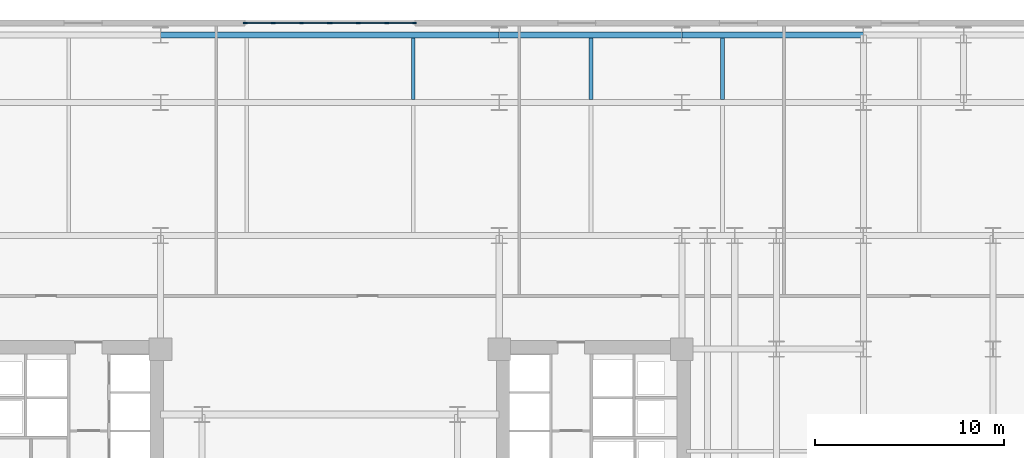
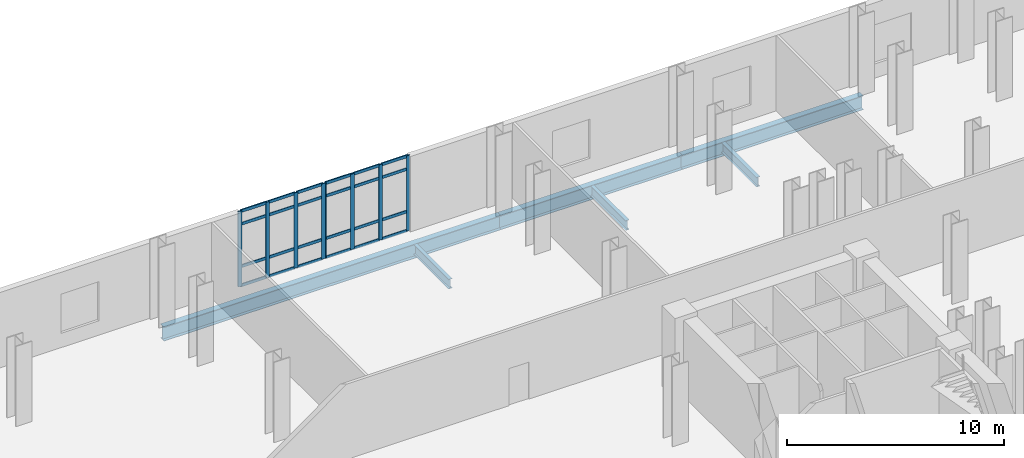
# One storey, part 5 of 13: 32 members, 6 beams, 2 elements without a shape of their own.
"""IFC4 building model written with IfcOpenShell, lengths in metres."""

from ifc_helpers import new_model, si_unit, direction, frame, origin, origin_2d, place, context, subcontext, project, spatial, rectangle, i_section, extrude, material, layer, layer_set, material_profile, profile_set, type_object, element, aggregate, save


model = new_model("IFC4")

# Units and contexts
model_context = context("Model", 3, precision=1e-05, world=origin(), true_north=direction((0.0, 1.0)))
body_context = subcontext(model_context, "Body", "Model", "MODEL_VIEW")
ifc_project = project(units=[si_unit("LENGTHUNIT", "METRE"), si_unit("AREAUNIT", "SQUARE_METRE"), si_unit("VOLUMEUNIT", "CUBIC_METRE"), si_unit("PLANEANGLEUNIT", "RADIAN"), si_unit("MASSUNIT", "GRAM", prefix="KILO")], contexts=[model_context])

# Site, building, storey
site_placement = place(None, origin())
site = spatial("IfcSite", under=ifc_project, at=site_placement, CompositionType="ELEMENT")
building_placement = place(site_placement, origin())
building = spatial("IfcBuilding", under=site, at=building_placement, Name="Velakula Bourse", CompositionType="ELEMENT")
storey_placement = place(building_placement, frame((0.0, 0.0, 5.10009765625)))
storey = spatial("IfcBuildingStorey", under=building, at=storey_placement, Name="L01", CompositionType="ELEMENT", Elevation=5.10009765625)

# Beams
ifc_material_1 = material(Name="Steel IS 2062 Grade 350 (E350)", Category="steel")
ifc_material_profile_1 = material_profile(ifc_material_1, i_section(OverallWidth=0.320068359375, OverallDepth=0.800048828125, WebThickness=0.01806640625, FlangeThickness=0.028076171875, at=origin_2d()), Name="Steel IS 2062 Grade 350 (E350)")
ifc_profile_set_1 = profile_set([ifc_material_profile_1], Name="Steel IS 2062 Grade 350 (E350)")
beam_type_1 = type_object("IfcBeamType", Name="BM-POD-800", PredefinedType="BEAM", material=ifc_profile_set_1)
beam_1_placement = place(storey_placement, frame((-8.949951171875, 25.199951171875, -0.650146484375), z_axis=(1.0, 0.0, 0.0), x_axis=(0.0, 1.0, 0.0)))
element("IfcBeam", 1, at=beam_1_placement, inside=storey, type_object=beam_type_1, Name="L01 Podium E-W Girder 60", PredefinedType="BEAM", context=body_context, shape_type="SweptSolid", body=[
    extrude(i_section(OverallWidth=0.320068359375, OverallDepth=0.800048828125, WebThickness=0.01806640625, FlangeThickness=0.028076171875, at=origin_2d()), origin(), (0.0, 0.0, 1.0), 17.89990234375),
])
beam_2_placement = place(storey_placement, frame((8.949951171875, 25.199951171875, -0.650146484375), z_axis=(1.0, 0.0, 0.0), x_axis=(0.0, 1.0, 0.0)))
element("IfcBeam", 2, at=beam_2_placement, inside=storey, type_object=beam_type_1, Name="L01 Podium E-W Girder 61", PredefinedType="BEAM", context=body_context, shape_type="SweptSolid", body=[
    extrude(i_section(OverallWidth=0.320068359375, OverallDepth=0.800048828125, WebThickness=0.01806640625, FlangeThickness=0.028076171875, at=origin_2d()), origin(), (0.0, 0.0, 1.0), 9.650146484375),
])
beam_3_placement = place(storey_placement, frame((18.60009765625, 25.199951171875, -0.650146484375), z_axis=(1.0, 0.0, 0.0), x_axis=(0.0, 1.0, 0.0)))
element("IfcBeam", 3, at=beam_3_placement, inside=storey, type_object=beam_type_1, Name="L01 Podium E-W Girder 62", PredefinedType="BEAM", context=body_context, shape_type="SweptSolid", body=[
    extrude(i_section(OverallWidth=0.320068359375, OverallDepth=0.800048828125, WebThickness=0.01806640625, FlangeThickness=0.028076171875, at=origin_2d()), origin(), (0.0, 0.0, 1.0), 9.599853515625),
])
ifc_material_profile_2 = material_profile(ifc_material_1, i_section(OverallWidth=0.18994140625, OverallDepth=0.550048828125, WebThickness=0.01123046875, FlangeThickness=0.019287109375, at=origin_2d()), Name="Steel IS 2062 Grade 350 (E350)")
ifc_profile_set_2 = profile_set([ifc_material_profile_2], Name="Steel IS 2062 Grade 350 (E350)")
beam_type_2 = type_object("IfcBeamType", Name="JST-POD-550", PredefinedType="JOIST", material=ifc_profile_set_2)
for number, where, z_axis, x_axis, name in (
    (4, (4.39990234375, 21.81005859375, -0.525146484375), (0.0, 1.0, 0.0), (-1.0, 0.0, 0.0), "L01 Station Podium Floor Joist 20"),
    (5, (13.800048828125, 21.81005859375, -0.525146484375), (0.0, 1.0, 0.0), (-1.0, 0.0, 0.0), "L01 Station Podium Floor Joist 24"),
    (6, (20.75, 21.81005859375, -0.525146484375), (0.0, 1.0, 0.0), (-1.0, 0.0, 0.0), "L01 Station Podium Floor Joist 28"),
):
    element("IfcBeam", number, at=place(storey_placement, frame(where, z_axis=z_axis, x_axis=x_axis)), inside=storey, type_object=beam_type_2, Name=name, PredefinedType="JOIST", context=body_context, shape_type="SweptSolid", body=[
        extrude(i_section(OverallWidth=0.18994140625, OverallDepth=0.550048828125, WebThickness=0.01123046875, FlangeThickness=0.019287109375, at=origin_2d()), origin(), (0.0, 0.0, 1.0), 3.22998046875),
    ])

# Curtain wall, members
ifc_material_2 = material(Name="Anodised bronze architectural aluminium", Category="aluminium")
ifc_layer = layer(ifc_material_2, 0.199951171875, Name="Anodised bronze architectural aluminium", Category="aluminium")
ifc_layer_set = layer_set([ifc_layer], Name="Anodised bronze architectural aluminium")
curtain_wall_type = type_object("IfcCurtainWallType", Name="CW-ST1", PredefinedType="NOTDEFINED", material=ifc_layer_set)
curtain_wall_1_placement = place(storey_placement, origin())
curtain_wall_1 = element("IfcCurtainWall", 7, at=curtain_wall_1_placement, inside=storey, type_object=curtain_wall_type, Name="L01 North Station Galleria Curtain Wall 2", PredefinedType="NOTDEFINED")
ifc_material_profile_3 = material_profile(ifc_material_2, rectangle(XDim=0.06005859375, YDim=0.199951171875, at=origin_2d()), Name="Anodised bronze architectural aluminium")
ifc_profile_set_3 = profile_set([ifc_material_profile_3], Name="Anodised bronze architectural aluminium")
member_type_1 = type_object("IfcMemberType", Name="MUL-CW-ST1", PredefinedType="MULLION", material=ifc_profile_set_3)
member_1_placement = place(storey_placement, frame((-4.469970703125, 25.840087890625, 0.0), z_axis=(0.0, 0.0, 1.0), x_axis=(0.0, 1.0, 0.0)))
member_1 = element("IfcMember", 8, at=member_1_placement, type_object=member_type_1, Name="CW-ST1 mullion 1", PredefinedType="MULLION", context=body_context, shape_type="SweptSolid", body=[
    extrude(rectangle(XDim=0.06005859375, YDim=0.199951171875, at=origin_2d()), origin(), (0.0, 0.0, 1.0), 4.22998046875),
])
member_2_placement = place(storey_placement, frame((-3.0, 25.840087890625, 0.0), z_axis=(0.0, 0.0, 1.0), x_axis=(0.0, 1.0, 0.0)))
member_2 = element("IfcMember", 9, at=member_2_placement, type_object=member_type_1, Name="CW-ST1 mullion 2", PredefinedType="MULLION", context=body_context, shape_type="SweptSolid", body=[
    extrude(rectangle(XDim=0.06005859375, YDim=0.199951171875, at=origin_2d()), origin(), (0.0, 0.0, 1.0), 4.22998046875),
])
member_3_placement = place(storey_placement, frame((-1.5, 25.840087890625, 0.0), z_axis=(0.0, 0.0, 1.0), x_axis=(0.0, 1.0, 0.0)))
member_3 = element("IfcMember", 10, at=member_3_placement, type_object=member_type_1, Name="CW-ST1 mullion 3", PredefinedType="MULLION", context=body_context, shape_type="SweptSolid", body=[
    extrude(rectangle(XDim=0.06005859375, YDim=0.199951171875, at=origin_2d()), origin(), (0.0, 0.0, 1.0), 4.22998046875),
])
member_4_placement = place(storey_placement, frame((-0.030029296875, 25.840087890625, 0.0), z_axis=(0.0, 0.0, 1.0), x_axis=(0.0, 1.0, 0.0)))
member_4 = element("IfcMember", 11, at=member_4_placement, type_object=member_type_1, Name="CW-ST1 mullion 4", PredefinedType="MULLION", context=body_context, shape_type="SweptSolid", body=[
    extrude(rectangle(XDim=0.06005859375, YDim=0.199951171875, at=origin_2d()), origin(), (0.0, 0.0, 1.0), 4.22998046875),
])

curtain_wall_2_placement = place(storey_placement, origin())
curtain_wall_2 = element("IfcCurtainWall", 12, at=curtain_wall_2_placement, inside=storey, type_object=curtain_wall_type, Name="L01 North Station Galleria Curtain Wall 3", PredefinedType="NOTDEFINED")
member_5_placement = place(storey_placement, frame((0.030029296875, 25.840087890625, 0.0), z_axis=(0.0, 0.0, 1.0), x_axis=(0.0, 1.0, 0.0)))
member_5 = element("IfcMember", 13, at=member_5_placement, type_object=member_type_1, Name="CW-ST1 mullion 1", PredefinedType="MULLION", context=body_context, shape_type="SweptSolid", body=[
    extrude(rectangle(XDim=0.06005859375, YDim=0.199951171875, at=origin_2d()), origin(), (0.0, 0.0, 1.0), 4.22998046875),
])
member_6_placement = place(storey_placement, frame((1.5, 25.840087890625, 0.0), z_axis=(0.0, 0.0, 1.0), x_axis=(0.0, 1.0, 0.0)))
member_6 = element("IfcMember", 14, at=member_6_placement, type_object=member_type_1, Name="CW-ST1 mullion 2", PredefinedType="MULLION", context=body_context, shape_type="SweptSolid", body=[
    extrude(rectangle(XDim=0.06005859375, YDim=0.199951171875, at=origin_2d()), origin(), (0.0, 0.0, 1.0), 4.22998046875),
])
member_7_placement = place(storey_placement, frame((3.0, 25.840087890625, 0.0), z_axis=(0.0, 0.0, 1.0), x_axis=(0.0, 1.0, 0.0)))
member_7 = element("IfcMember", 15, at=member_7_placement, type_object=member_type_1, Name="CW-ST1 mullion 3", PredefinedType="MULLION", context=body_context, shape_type="SweptSolid", body=[
    extrude(rectangle(XDim=0.06005859375, YDim=0.199951171875, at=origin_2d()), origin(), (0.0, 0.0, 1.0), 4.22998046875),
])
member_8_placement = place(storey_placement, frame((4.469970703125, 25.840087890625, 0.0), z_axis=(0.0, 0.0, 1.0), x_axis=(0.0, 1.0, 0.0)))
member_8 = element("IfcMember", 16, at=member_8_placement, type_object=member_type_1, Name="CW-ST1 mullion 4", PredefinedType="MULLION", context=body_context, shape_type="SweptSolid", body=[
    extrude(rectangle(XDim=0.06005859375, YDim=0.199951171875, at=origin_2d()), origin(), (0.0, 0.0, 1.0), 4.22998046875),
])

# Member
ifc_material_profile_4 = material_profile(ifc_material_2, rectangle(XDim=0.06005859375, YDim=0.159912109375, at=origin_2d()), Name="Anodised bronze architectural aluminium")
ifc_profile_set_4 = profile_set([ifc_material_profile_4], Name="Anodised bronze architectural aluminium")
member_type_2 = type_object("IfcMemberType", Name="TRN-CW-ST1", PredefinedType="USERDEFINED", material=ifc_profile_set_4)
member_9_placement = place(storey_placement, frame((-4.43994140625, 25.840087890625, 0.02978515625), z_axis=(1.0, 0.0, 0.0), x_axis=(0.0, 1.0, 0.0)))
member_9 = element("IfcMember", 17, at=member_9_placement, type_object=member_type_2, Name="CW-ST1 transom 1.1", ObjectType="TRANSOM", PredefinedType="USERDEFINED", context=body_context, shape_type="SweptSolid", body=[
    extrude(rectangle(XDim=0.06005859375, YDim=0.159912109375, at=origin_2d()), origin(), (0.0, 0.0, 1.0), 1.409912109375),
])

member_10_placement = place(storey_placement, frame((-4.43994140625, 25.840087890625, 1.099853515625), z_axis=(1.0, 0.0, 0.0), x_axis=(0.0, 1.0, 0.0)))
member_10 = element("IfcMember", 18, at=member_10_placement, type_object=member_type_2, Name="CW-ST1 transom 1.2", ObjectType="TRANSOM", PredefinedType="USERDEFINED", context=body_context, shape_type="SweptSolid", body=[
    extrude(rectangle(XDim=0.06005859375, YDim=0.159912109375, at=origin_2d()), origin(), (0.0, 0.0, 1.0), 1.409912109375),
])

member_11_placement = place(storey_placement, frame((-4.43994140625, 25.840087890625, 3.47998046875), z_axis=(1.0, 0.0, 0.0), x_axis=(0.0, 1.0, 0.0)))
member_11 = element("IfcMember", 19, at=member_11_placement, type_object=member_type_2, Name="CW-ST1 transom 1.3", ObjectType="TRANSOM", PredefinedType="USERDEFINED", context=body_context, shape_type="SweptSolid", body=[
    extrude(rectangle(XDim=0.06005859375, YDim=0.159912109375, at=origin_2d()), origin(), (0.0, 0.0, 1.0), 1.409912109375),
])

member_12_placement = place(storey_placement, frame((-4.43994140625, 25.840087890625, 4.199951171875), z_axis=(1.0, 0.0, 0.0), x_axis=(0.0, 1.0, 0.0)))
member_12 = element("IfcMember", 20, at=member_12_placement, type_object=member_type_2, Name="CW-ST1 transom 1.4", ObjectType="TRANSOM", PredefinedType="USERDEFINED", context=body_context, shape_type="SweptSolid", body=[
    extrude(rectangle(XDim=0.06005859375, YDim=0.159912109375, at=origin_2d()), origin(), (0.0, 0.0, 1.0), 1.409912109375),
])

member_13_placement = place(storey_placement, frame((-2.969970703125, 25.840087890625, 0.02978515625), z_axis=(1.0, 0.0, 0.0), x_axis=(0.0, 1.0, 0.0)))
member_13 = element("IfcMember", 21, at=member_13_placement, type_object=member_type_2, Name="CW-ST1 transom 2.1", ObjectType="TRANSOM", PredefinedType="USERDEFINED", context=body_context, shape_type="SweptSolid", body=[
    extrude(rectangle(XDim=0.06005859375, YDim=0.159912109375, at=origin_2d()), origin(), (0.0, 0.0, 1.0), 1.43994140625),
])

member_14_placement = place(storey_placement, frame((-2.969970703125, 25.840087890625, 1.099853515625), z_axis=(1.0, 0.0, 0.0), x_axis=(0.0, 1.0, 0.0)))
member_14 = element("IfcMember", 22, at=member_14_placement, type_object=member_type_2, Name="CW-ST1 transom 2.2", ObjectType="TRANSOM", PredefinedType="USERDEFINED", context=body_context, shape_type="SweptSolid", body=[
    extrude(rectangle(XDim=0.06005859375, YDim=0.159912109375, at=origin_2d()), origin(), (0.0, 0.0, 1.0), 1.43994140625),
])

member_15_placement = place(storey_placement, frame((-2.969970703125, 25.840087890625, 3.47998046875), z_axis=(1.0, 0.0, 0.0), x_axis=(0.0, 1.0, 0.0)))
member_15 = element("IfcMember", 23, at=member_15_placement, type_object=member_type_2, Name="CW-ST1 transom 2.3", ObjectType="TRANSOM", PredefinedType="USERDEFINED", context=body_context, shape_type="SweptSolid", body=[
    extrude(rectangle(XDim=0.06005859375, YDim=0.159912109375, at=origin_2d()), origin(), (0.0, 0.0, 1.0), 1.43994140625),
])

member_16_placement = place(storey_placement, frame((-2.969970703125, 25.840087890625, 4.199951171875), z_axis=(1.0, 0.0, 0.0), x_axis=(0.0, 1.0, 0.0)))
member_16 = element("IfcMember", 24, at=member_16_placement, type_object=member_type_2, Name="CW-ST1 transom 2.4", ObjectType="TRANSOM", PredefinedType="USERDEFINED", context=body_context, shape_type="SweptSolid", body=[
    extrude(rectangle(XDim=0.06005859375, YDim=0.159912109375, at=origin_2d()), origin(), (0.0, 0.0, 1.0), 1.43994140625),
])

member_17_placement = place(storey_placement, frame((-1.469970703125, 25.840087890625, 0.02978515625), z_axis=(1.0, 0.0, 0.0), x_axis=(0.0, 1.0, 0.0)))
member_17 = element("IfcMember", 25, at=member_17_placement, type_object=member_type_2, Name="CW-ST1 transom 3.1", ObjectType="TRANSOM", PredefinedType="USERDEFINED", context=body_context, shape_type="SweptSolid", body=[
    extrude(rectangle(XDim=0.06005859375, YDim=0.159912109375, at=origin_2d()), origin(), (0.0, 0.0, 1.0), 1.409912109375),
])

member_18_placement = place(storey_placement, frame((-1.469970703125, 25.840087890625, 1.099853515625), z_axis=(1.0, 0.0, 0.0), x_axis=(0.0, 1.0, 0.0)))
member_18 = element("IfcMember", 26, at=member_18_placement, type_object=member_type_2, Name="CW-ST1 transom 3.2", ObjectType="TRANSOM", PredefinedType="USERDEFINED", context=body_context, shape_type="SweptSolid", body=[
    extrude(rectangle(XDim=0.06005859375, YDim=0.159912109375, at=origin_2d()), origin(), (0.0, 0.0, 1.0), 1.409912109375),
])

member_19_placement = place(storey_placement, frame((-1.469970703125, 25.840087890625, 3.47998046875), z_axis=(1.0, 0.0, 0.0), x_axis=(0.0, 1.0, 0.0)))
member_19 = element("IfcMember", 27, at=member_19_placement, type_object=member_type_2, Name="CW-ST1 transom 3.3", ObjectType="TRANSOM", PredefinedType="USERDEFINED", context=body_context, shape_type="SweptSolid", body=[
    extrude(rectangle(XDim=0.06005859375, YDim=0.159912109375, at=origin_2d()), origin(), (0.0, 0.0, 1.0), 1.409912109375),
])

member_20_placement = place(storey_placement, frame((-1.469970703125, 25.840087890625, 4.199951171875), z_axis=(1.0, 0.0, 0.0), x_axis=(0.0, 1.0, 0.0)))
member_20 = element("IfcMember", 28, at=member_20_placement, type_object=member_type_2, Name="CW-ST1 transom 3.4", ObjectType="TRANSOM", PredefinedType="USERDEFINED", context=body_context, shape_type="SweptSolid", body=[
    extrude(rectangle(XDim=0.06005859375, YDim=0.159912109375, at=origin_2d()), origin(), (0.0, 0.0, 1.0), 1.409912109375),
])

aggregate(curtain_wall_1, [member_1, member_2, member_3, member_4, member_9, member_10, member_11, member_12, member_13, member_14, member_15, member_16, member_17, member_18, member_19, member_20])

member_21_placement = place(storey_placement, frame((0.06005859375, 25.840087890625, 0.02978515625), z_axis=(1.0, 0.0, 0.0), x_axis=(0.0, 1.0, 0.0)))
member_21 = element("IfcMember", 29, at=member_21_placement, type_object=member_type_2, Name="CW-ST1 transom 1.1", ObjectType="TRANSOM", PredefinedType="USERDEFINED", context=body_context, shape_type="SweptSolid", body=[
    extrude(rectangle(XDim=0.06005859375, YDim=0.159912109375, at=origin_2d()), origin(), (0.0, 0.0, 1.0), 1.409912109375),
])

member_22_placement = place(storey_placement, frame((0.06005859375, 25.840087890625, 1.099853515625), z_axis=(1.0, 0.0, 0.0), x_axis=(0.0, 1.0, 0.0)))
member_22 = element("IfcMember", 30, at=member_22_placement, type_object=member_type_2, Name="CW-ST1 transom 1.2", ObjectType="TRANSOM", PredefinedType="USERDEFINED", context=body_context, shape_type="SweptSolid", body=[
    extrude(rectangle(XDim=0.06005859375, YDim=0.159912109375, at=origin_2d()), origin(), (0.0, 0.0, 1.0), 1.409912109375),
])

member_23_placement = place(storey_placement, frame((0.06005859375, 25.840087890625, 3.47998046875), z_axis=(1.0, 0.0, 0.0), x_axis=(0.0, 1.0, 0.0)))
member_23 = element("IfcMember", 31, at=member_23_placement, type_object=member_type_2, Name="CW-ST1 transom 1.3", ObjectType="TRANSOM", PredefinedType="USERDEFINED", context=body_context, shape_type="SweptSolid", body=[
    extrude(rectangle(XDim=0.06005859375, YDim=0.159912109375, at=origin_2d()), origin(), (0.0, 0.0, 1.0), 1.409912109375),
])

member_24_placement = place(storey_placement, frame((0.06005859375, 25.840087890625, 4.199951171875), z_axis=(1.0, 0.0, 0.0), x_axis=(0.0, 1.0, 0.0)))
member_24 = element("IfcMember", 32, at=member_24_placement, type_object=member_type_2, Name="CW-ST1 transom 1.4", ObjectType="TRANSOM", PredefinedType="USERDEFINED", context=body_context, shape_type="SweptSolid", body=[
    extrude(rectangle(XDim=0.06005859375, YDim=0.159912109375, at=origin_2d()), origin(), (0.0, 0.0, 1.0), 1.409912109375),
])

member_25_placement = place(storey_placement, frame((1.530029296875, 25.840087890625, 0.02978515625), z_axis=(1.0, 0.0, 0.0), x_axis=(0.0, 1.0, 0.0)))
member_25 = element("IfcMember", 33, at=member_25_placement, type_object=member_type_2, Name="CW-ST1 transom 2.1", ObjectType="TRANSOM", PredefinedType="USERDEFINED", context=body_context, shape_type="SweptSolid", body=[
    extrude(rectangle(XDim=0.06005859375, YDim=0.159912109375, at=origin_2d()), origin(), (0.0, 0.0, 1.0), 1.43994140625),
])

member_26_placement = place(storey_placement, frame((1.530029296875, 25.840087890625, 1.099853515625), z_axis=(1.0, 0.0, 0.0), x_axis=(0.0, 1.0, 0.0)))
member_26 = element("IfcMember", 34, at=member_26_placement, type_object=member_type_2, Name="CW-ST1 transom 2.2", ObjectType="TRANSOM", PredefinedType="USERDEFINED", context=body_context, shape_type="SweptSolid", body=[
    extrude(rectangle(XDim=0.06005859375, YDim=0.159912109375, at=origin_2d()), origin(), (0.0, 0.0, 1.0), 1.43994140625),
])

member_27_placement = place(storey_placement, frame((1.530029296875, 25.840087890625, 3.47998046875), z_axis=(1.0, 0.0, 0.0), x_axis=(0.0, 1.0, 0.0)))
member_27 = element("IfcMember", 35, at=member_27_placement, type_object=member_type_2, Name="CW-ST1 transom 2.3", ObjectType="TRANSOM", PredefinedType="USERDEFINED", context=body_context, shape_type="SweptSolid", body=[
    extrude(rectangle(XDim=0.06005859375, YDim=0.159912109375, at=origin_2d()), origin(), (0.0, 0.0, 1.0), 1.43994140625),
])

member_28_placement = place(storey_placement, frame((1.530029296875, 25.840087890625, 4.199951171875), z_axis=(1.0, 0.0, 0.0), x_axis=(0.0, 1.0, 0.0)))
member_28 = element("IfcMember", 36, at=member_28_placement, type_object=member_type_2, Name="CW-ST1 transom 2.4", ObjectType="TRANSOM", PredefinedType="USERDEFINED", context=body_context, shape_type="SweptSolid", body=[
    extrude(rectangle(XDim=0.06005859375, YDim=0.159912109375, at=origin_2d()), origin(), (0.0, 0.0, 1.0), 1.43994140625),
])

member_29_placement = place(storey_placement, frame((3.030029296875, 25.840087890625, 0.02978515625), z_axis=(1.0, 0.0, 0.0), x_axis=(0.0, 1.0, 0.0)))
member_29 = element("IfcMember", 37, at=member_29_placement, type_object=member_type_2, Name="CW-ST1 transom 3.1", ObjectType="TRANSOM", PredefinedType="USERDEFINED", context=body_context, shape_type="SweptSolid", body=[
    extrude(rectangle(XDim=0.06005859375, YDim=0.159912109375, at=origin_2d()), origin(), (0.0, 0.0, 1.0), 1.409912109375),
])

member_30_placement = place(storey_placement, frame((3.030029296875, 25.840087890625, 1.099853515625), z_axis=(1.0, 0.0, 0.0), x_axis=(0.0, 1.0, 0.0)))
member_30 = element("IfcMember", 38, at=member_30_placement, type_object=member_type_2, Name="CW-ST1 transom 3.2", ObjectType="TRANSOM", PredefinedType="USERDEFINED", context=body_context, shape_type="SweptSolid", body=[
    extrude(rectangle(XDim=0.06005859375, YDim=0.159912109375, at=origin_2d()), origin(), (0.0, 0.0, 1.0), 1.409912109375),
])

member_31_placement = place(storey_placement, frame((3.030029296875, 25.840087890625, 3.47998046875), z_axis=(1.0, 0.0, 0.0), x_axis=(0.0, 1.0, 0.0)))
member_31 = element("IfcMember", 39, at=member_31_placement, type_object=member_type_2, Name="CW-ST1 transom 3.3", ObjectType="TRANSOM", PredefinedType="USERDEFINED", context=body_context, shape_type="SweptSolid", body=[
    extrude(rectangle(XDim=0.06005859375, YDim=0.159912109375, at=origin_2d()), origin(), (0.0, 0.0, 1.0), 1.409912109375),
])

member_32_placement = place(storey_placement, frame((3.030029296875, 25.840087890625, 4.199951171875), z_axis=(1.0, 0.0, 0.0), x_axis=(0.0, 1.0, 0.0)))
member_32 = element("IfcMember", 40, at=member_32_placement, type_object=member_type_2, Name="CW-ST1 transom 3.4", ObjectType="TRANSOM", PredefinedType="USERDEFINED", context=body_context, shape_type="SweptSolid", body=[
    extrude(rectangle(XDim=0.06005859375, YDim=0.159912109375, at=origin_2d()), origin(), (0.0, 0.0, 1.0), 1.409912109375),
])

aggregate(curtain_wall_2, [member_5, member_6, member_7, member_8, member_21, member_22, member_23, member_24, member_25, member_26, member_27, member_28, member_29, member_30, member_31, member_32])

save(model, "model.ifc")
